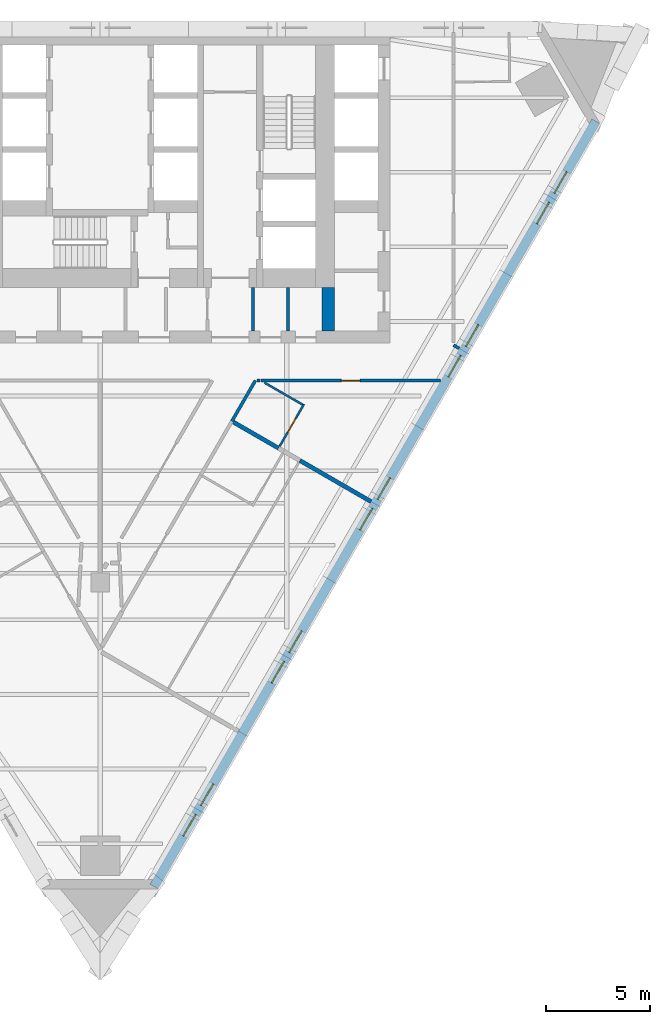
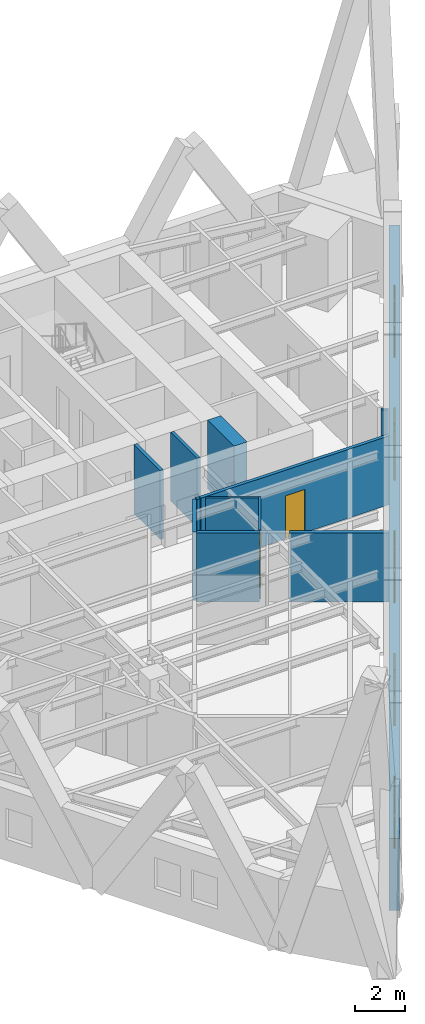
# One storey, part 6 of 11: 12 walls, 10 windows, 2 doors, 12 openings.
"""IFC4 building model written with IfcOpenShell, lengths in metres."""

from ifc_helpers import new_model, si_unit, direction, frame, frame_2d, origin, place, context, subcontext, project, spatial, polyline, rectangle, outline, extrude, material, layer, layer_set, type_object, element, fill, save


model = new_model("IFC4")

# Units and contexts
model_context = context("Model", 3, precision=1e-05, world=origin(), true_north=direction((0.0, 1.0)))
body_context = subcontext(model_context, "Body", "Model", "MODEL_VIEW")
ifc_project = project(units=[si_unit("LENGTHUNIT", "METRE"), si_unit("AREAUNIT", "SQUARE_METRE"), si_unit("VOLUMEUNIT", "CUBIC_METRE"), si_unit("PLANEANGLEUNIT", "RADIAN"), si_unit("MASSUNIT", "GRAM", prefix="KILO")], contexts=[model_context])

# Site, building, storey
site_placement = place(None, origin())
site = spatial("IfcSite", under=ifc_project, at=site_placement, CompositionType="ELEMENT")
building_placement = place(site_placement, origin())
building = spatial("IfcBuilding", under=site, at=building_placement, Name="Aloe Facet Convention Tower", CompositionType="ELEMENT")
storey_placement = place(building_placement, frame((0.0, 0.0, 95.800048828125)))
storey = spatial("IfcBuildingStorey", under=building, at=storey_placement, Name="L23", CompositionType="ELEMENT", Elevation=95.800048828125)

# Walls
ifc_material_1 = material(Name="Concrete blockwork partition", Category="masonry")
ifc_layer_1 = layer(ifc_material_1, 0.14990234375)
ifc_layer_set_1 = layer_set([ifc_layer_1], Name="CR-W-PART150")
wall_type_1 = type_object("IfcWallType", Name="CR-W-PART150", PredefinedType="PARTITIONING", material=ifc_layer_set_1)
for number, where, z_axis, x_axis, name in (
    (1, (87.375, 122.25, 0.0), (0.0, 0.0, 1.0), (0.0, -1.0, 0.0), "Core partition L23-041"),
    (2, (89.074951171875, 122.25, 0.0), (0.0, 0.0, 1.0), (0.0, -1.0, 0.0), "Core partition L23-046"),
):
    element("IfcWall", number, at=place(storey_placement, frame(where, z_axis=z_axis, x_axis=x_axis)), inside=storey, type_object=wall_type_1, Name=name, PredefinedType="PARTITIONING", context=body_context, shape_type="SweptSolid", body=[
        extrude(rectangle(XDim=2.10009765625, YDim=0.14990234375, at=frame_2d((1.050048828125, 0.0))), origin(), (0.0, 0.0, 1.0), 3.349853515625),
    ])
ifc_material_2 = material(Name="Concrete C70/85", Category="concrete")
ifc_layer_2 = layer(ifc_material_2, 0.60009765625)
ifc_layer_set_2 = layer_set([ifc_layer_2], Name="CR-W-RC600-C7085")
wall_type_2 = type_object("IfcWallType", Name="CR-W-RC600-C7085", PredefinedType="SOLIDWALL", material=ifc_layer_set_2)
wall_1_placement = place(storey_placement, frame((91.0, 122.25, 0.0), z_axis=(0.0, 0.0, 1.0), x_axis=(0.0, -1.0, 0.0)))
element("IfcWall", 3, at=wall_1_placement, inside=storey, type_object=wall_type_2, Name="Core wall L23-048", PredefinedType="SOLIDWALL", context=body_context, shape_type="SweptSolid", body=[
    extrude(rectangle(XDim=2.10009765625, YDim=0.60009765625, at=frame_2d((1.050048828125, 0.0))), origin(), (0.0, 0.0, 1.0), 3.349853515625),
])

# Wall, openings, windows
ifc_material_3 = material(Name="Precast concrete C40/50", Category="concrete")
ifc_layer_3 = layer(ifc_material_3, 0.449951171875)
ifc_layer_set_3 = layer_set([ifc_layer_3], Name="EV-WALL-STONE")
wall_type_3 = type_object("IfcWallType", Name="EV-WALL-STONE", PredefinedType="SOLIDWALL", material=ifc_layer_set_3)
wall_2_placement = place(storey_placement, frame((82.605224609375, 93.332763671875, -0.150146484375), z_axis=(0.0, 0.0, 1.0), x_axis=(0.500000478905, 0.866025127289, 0.0)))
wall_2 = element("IfcWall", 4, at=wall_2_placement, inside=storey, type_object=wall_type_3, Name="EW-L23-E01", PredefinedType="SOLIDWALL", context=body_context, shape_type="SweptSolid", body=[
    extrude(outline(polyline([(42.64306640625, 0.0), (42.64306640625, 3.5), (0.0, 3.5), (0.0, 0.0), (42.64306640625, 0.0)])), frame((0.0, 0.22509765625, 0.0), z_axis=(0.0, -1.0, 0.0), x_axis=(1.0, 0.0, 0.0)), (0.0, 0.0, 1.0), 0.449951171875),
])
opening_1_placement = place(wall_2_placement, frame((2.814208984375, 0.0, 1.050048828125)))
opening_1 = element("IfcOpeningElement", 5, at=opening_1_placement, cuts=wall_2, Name="Opening W-L23-E01", PredefinedType="OPENING", context=body_context, shape_type="SweptSolid", body=[
    extrude(rectangle(XDim=1.199951171875, YDim=1.5, at=frame_2d((0.60009765625, 0.75))), frame((0.0, 0.23486328125, 0.0), z_axis=(0.0, -1.0, 0.0), x_axis=(1.0, 0.0, 0.0)), (0.0, 0.0, 1.0), 0.469970703125),
])
opening_2_placement = place(wall_2_placement, frame((4.514404296875, 0.0, 1.050048828125)))
opening_2 = element("IfcOpeningElement", 6, at=opening_2_placement, cuts=wall_2, Name="Opening W-L23-E02", PredefinedType="OPENING", context=body_context, shape_type="SweptSolid", body=[
    extrude(rectangle(XDim=1.199951171875, YDim=1.5, at=frame_2d((0.60009765625, 0.75))), frame((0.0, 0.23486328125, 0.0), z_axis=(0.0, -1.0, 0.0), x_axis=(1.0, 0.0, 0.0)), (0.0, 0.0, 1.0), 0.469970703125),
])
opening_3_placement = place(wall_2_placement, frame((11.343017578125, 0.0, 1.050048828125)))
opening_3 = element("IfcOpeningElement", 7, at=opening_3_placement, cuts=wall_2, Name="Opening W-L23-E03", PredefinedType="OPENING", context=body_context, shape_type="SweptSolid", body=[
    extrude(rectangle(XDim=1.199951171875, YDim=1.5, at=frame_2d((0.60009765625, 0.75))), frame((0.0, 0.23486328125, 0.0), z_axis=(0.0, -1.0, 0.0), x_axis=(1.0, 0.0, 0.0)), (0.0, 0.0, 1.0), 0.469970703125),
])
opening_4_placement = place(wall_2_placement, frame((13.04296875, 0.0, 1.050048828125)))
opening_4 = element("IfcOpeningElement", 8, at=opening_4_placement, cuts=wall_2, Name="Opening W-L23-E04", PredefinedType="OPENING", context=body_context, shape_type="SweptSolid", body=[
    extrude(rectangle(XDim=1.199951171875, YDim=1.5, at=frame_2d((0.60009765625, 0.75))), frame((0.0, 0.23486328125, 0.0), z_axis=(0.0, -1.0, 0.0), x_axis=(1.0, 0.0, 0.0)), (0.0, 0.0, 1.0), 0.469970703125),
])
opening_5_placement = place(wall_2_placement, frame((19.87158203125, 0.0, 1.050048828125)))
opening_5 = element("IfcOpeningElement", 9, at=opening_5_placement, cuts=wall_2, Name="Opening W-L23-E05", PredefinedType="OPENING", context=body_context, shape_type="SweptSolid", body=[
    extrude(rectangle(XDim=1.199951171875, YDim=1.5, at=frame_2d((0.60009765625, 0.75))), frame((0.0, 0.23486328125, 0.0), z_axis=(0.0, -1.0, 0.0), x_axis=(1.0, 0.0, 0.0)), (0.0, 0.0, 1.0), 0.469970703125),
])
opening_6_placement = place(wall_2_placement, frame((21.571533203125, 0.0, 1.050048828125)))
opening_6 = element("IfcOpeningElement", 10, at=opening_6_placement, cuts=wall_2, Name="Opening W-L23-E06", PredefinedType="OPENING", context=body_context, shape_type="SweptSolid", body=[
    extrude(rectangle(XDim=1.199951171875, YDim=1.5, at=frame_2d((0.60009765625, 0.75))), frame((0.0, 0.23486328125, 0.0), z_axis=(0.0, -1.0, 0.0), x_axis=(1.0, 0.0, 0.0)), (0.0, 0.0, 1.0), 0.469970703125),
])
opening_7_placement = place(wall_2_placement, frame((28.400146484375, 0.0, 1.050048828125)))
opening_7 = element("IfcOpeningElement", 11, at=opening_7_placement, cuts=wall_2, Name="Opening W-L23-E07", PredefinedType="OPENING", context=body_context, shape_type="SweptSolid", body=[
    extrude(rectangle(XDim=1.199951171875, YDim=1.5, at=frame_2d((0.60009765625, 0.75))), frame((0.0, 0.23486328125, 0.0), z_axis=(0.0, -1.0, 0.0), x_axis=(1.0, 0.0, 0.0)), (0.0, 0.0, 1.0), 0.469970703125),
])
opening_8_placement = place(wall_2_placement, frame((30.10009765625, 0.0, 1.050048828125)))
opening_8 = element("IfcOpeningElement", 12, at=opening_8_placement, cuts=wall_2, Name="Opening W-L23-E08", PredefinedType="OPENING", context=body_context, shape_type="SweptSolid", body=[
    extrude(rectangle(XDim=1.199951171875, YDim=1.5, at=frame_2d((0.60009765625, 0.75))), frame((0.0, 0.23486328125, 0.0), z_axis=(0.0, -1.0, 0.0), x_axis=(1.0, 0.0, 0.0)), (0.0, 0.0, 1.0), 0.469970703125),
])
opening_9_placement = place(wall_2_placement, frame((36.9287109375, 0.0, 1.050048828125)))
opening_9 = element("IfcOpeningElement", 13, at=opening_9_placement, cuts=wall_2, Name="Opening W-L23-E09", PredefinedType="OPENING", context=body_context, shape_type="SweptSolid", body=[
    extrude(rectangle(XDim=1.199951171875, YDim=1.5, at=frame_2d((0.60009765625, 0.75))), frame((0.0, 0.23486328125, 0.0), z_axis=(0.0, -1.0, 0.0), x_axis=(1.0, 0.0, 0.0)), (0.0, 0.0, 1.0), 0.469970703125),
])
opening_10_placement = place(wall_2_placement, frame((38.628662109375, 0.0, 1.050048828125)))
opening_10 = element("IfcOpeningElement", 14, at=opening_10_placement, cuts=wall_2, Name="Opening W-L23-E10", PredefinedType="OPENING", context=body_context, shape_type="SweptSolid", body=[
    extrude(rectangle(XDim=1.199951171875, YDim=1.5, at=frame_2d((0.60009765625, 0.75))), frame((0.0, 0.23486328125, 0.0), z_axis=(0.0, -1.0, 0.0), x_axis=(1.0, 0.0, 0.0)), (0.0, 0.0, 1.0), 0.469970703125),
])
ifc_material_4 = material(Name="Aluminium frame, clear double glazing", Category="aluminium")
window_type = type_object("IfcWindowType", Name="EV-WIN-H12", PartitioningType="SINGLE_PANEL", PredefinedType="WINDOW", material=ifc_material_4)
window_1_placement = place(opening_1_placement, origin())
window_1 = element("IfcWindow", 15, at=window_1_placement, inside=storey, type_object=window_type, Name="W-L23-E01", OverallHeight=1.5, OverallWidth=1.199951171875, PartitioningType="SINGLE_PANEL", PredefinedType="WINDOW", context=body_context, shape_type="SweptSolid", body=[
    extrude(rectangle(XDim=1.199951171875, YDim=1.5, at=frame_2d((0.60009765625, 0.75))), frame((0.0, 0.030029296875, 0.0), z_axis=(0.0, -1.0, 0.0), x_axis=(1.0, 0.0, 0.0)), (0.0, 0.0, 1.0), 0.06005859375),
])
fill(opening_1, window_1)
window_2_placement = place(opening_2_placement, origin())
window_2 = element("IfcWindow", 16, at=window_2_placement, inside=storey, type_object=window_type, Name="W-L23-E02", OverallHeight=1.5, OverallWidth=1.199951171875, PartitioningType="SINGLE_PANEL", PredefinedType="WINDOW", context=body_context, shape_type="SweptSolid", body=[
    extrude(rectangle(XDim=1.199951171875, YDim=1.5, at=frame_2d((0.60009765625, 0.75))), frame((0.0, 0.030029296875, 0.0), z_axis=(0.0, -1.0, 0.0), x_axis=(1.0, 0.0, 0.0)), (0.0, 0.0, 1.0), 0.06005859375),
])
fill(opening_2, window_2)
window_3_placement = place(opening_3_placement, origin())
window_3 = element("IfcWindow", 17, at=window_3_placement, inside=storey, type_object=window_type, Name="W-L23-E03", OverallHeight=1.5, OverallWidth=1.199951171875, PartitioningType="SINGLE_PANEL", PredefinedType="WINDOW", context=body_context, shape_type="SweptSolid", body=[
    extrude(rectangle(XDim=1.199951171875, YDim=1.5, at=frame_2d((0.60009765625, 0.75))), frame((0.0, 0.030029296875, 0.0), z_axis=(0.0, -1.0, 0.0), x_axis=(1.0, 0.0, 0.0)), (0.0, 0.0, 1.0), 0.06005859375),
])
fill(opening_3, window_3)
window_4_placement = place(opening_4_placement, origin())
window_4 = element("IfcWindow", 18, at=window_4_placement, inside=storey, type_object=window_type, Name="W-L23-E04", OverallHeight=1.5, OverallWidth=1.199951171875, PartitioningType="SINGLE_PANEL", PredefinedType="WINDOW", context=body_context, shape_type="SweptSolid", body=[
    extrude(rectangle(XDim=1.199951171875, YDim=1.5, at=frame_2d((0.60009765625, 0.75))), frame((0.0, 0.030029296875, 0.0), z_axis=(0.0, -1.0, 0.0), x_axis=(1.0, 0.0, 0.0)), (0.0, 0.0, 1.0), 0.06005859375),
])
fill(opening_4, window_4)
window_5_placement = place(opening_5_placement, origin())
window_5 = element("IfcWindow", 19, at=window_5_placement, inside=storey, type_object=window_type, Name="W-L23-E05", OverallHeight=1.5, OverallWidth=1.199951171875, PartitioningType="SINGLE_PANEL", PredefinedType="WINDOW", context=body_context, shape_type="SweptSolid", body=[
    extrude(rectangle(XDim=1.199951171875, YDim=1.5, at=frame_2d((0.60009765625, 0.75))), frame((0.0, 0.030029296875, 0.0), z_axis=(0.0, -1.0, 0.0), x_axis=(1.0, 0.0, 0.0)), (0.0, 0.0, 1.0), 0.06005859375),
])
fill(opening_5, window_5)
window_6_placement = place(opening_6_placement, origin())
window_6 = element("IfcWindow", 20, at=window_6_placement, inside=storey, type_object=window_type, Name="W-L23-E06", OverallHeight=1.5, OverallWidth=1.199951171875, PartitioningType="SINGLE_PANEL", PredefinedType="WINDOW", context=body_context, shape_type="SweptSolid", body=[
    extrude(rectangle(XDim=1.199951171875, YDim=1.5, at=frame_2d((0.60009765625, 0.75))), frame((0.0, 0.030029296875, 0.0), z_axis=(0.0, -1.0, 0.0), x_axis=(1.0, 0.0, 0.0)), (0.0, 0.0, 1.0), 0.06005859375),
])
fill(opening_6, window_6)
window_7_placement = place(opening_7_placement, origin())
window_7 = element("IfcWindow", 21, at=window_7_placement, inside=storey, type_object=window_type, Name="W-L23-E07", OverallHeight=1.5, OverallWidth=1.199951171875, PartitioningType="SINGLE_PANEL", PredefinedType="WINDOW", context=body_context, shape_type="SweptSolid", body=[
    extrude(rectangle(XDim=1.199951171875, YDim=1.5, at=frame_2d((0.60009765625, 0.75))), frame((0.0, 0.030029296875, 0.0), z_axis=(0.0, -1.0, 0.0), x_axis=(1.0, 0.0, 0.0)), (0.0, 0.0, 1.0), 0.06005859375),
])
fill(opening_7, window_7)
window_8_placement = place(opening_8_placement, origin())
window_8 = element("IfcWindow", 22, at=window_8_placement, inside=storey, type_object=window_type, Name="W-L23-E08", OverallHeight=1.5, OverallWidth=1.199951171875, PartitioningType="SINGLE_PANEL", PredefinedType="WINDOW", context=body_context, shape_type="SweptSolid", body=[
    extrude(rectangle(XDim=1.199951171875, YDim=1.5, at=frame_2d((0.60009765625, 0.75))), frame((0.0, 0.030029296875, 0.0), z_axis=(0.0, -1.0, 0.0), x_axis=(1.0, 0.0, 0.0)), (0.0, 0.0, 1.0), 0.06005859375),
])
fill(opening_8, window_8)
window_9_placement = place(opening_9_placement, origin())
window_9 = element("IfcWindow", 23, at=window_9_placement, inside=storey, type_object=window_type, Name="W-L23-E09", OverallHeight=1.5, OverallWidth=1.199951171875, PartitioningType="SINGLE_PANEL", PredefinedType="WINDOW", context=body_context, shape_type="SweptSolid", body=[
    extrude(rectangle(XDim=1.199951171875, YDim=1.5, at=frame_2d((0.60009765625, 0.75))), frame((0.0, 0.030029296875, 0.0), z_axis=(0.0, -1.0, 0.0), x_axis=(1.0, 0.0, 0.0)), (0.0, 0.0, 1.0), 0.06005859375),
])
fill(opening_9, window_9)
window_10_placement = place(opening_10_placement, origin())
window_10 = element("IfcWindow", 24, at=window_10_placement, inside=storey, type_object=window_type, Name="W-L23-E10", OverallHeight=1.5, OverallWidth=1.199951171875, PartitioningType="SINGLE_PANEL", PredefinedType="WINDOW", context=body_context, shape_type="SweptSolid", body=[
    extrude(rectangle(XDim=1.199951171875, YDim=1.5, at=frame_2d((0.60009765625, 0.75))), frame((0.0, 0.030029296875, 0.0), z_axis=(0.0, -1.0, 0.0), x_axis=(1.0, 0.0, 0.0)), (0.0, 0.0, 1.0), 0.06005859375),
])
fill(opening_10, window_10)

# Wall
ifc_material_5 = material(Name="Gypsum board partition on steel studs", Category="steel")
ifc_layer_4 = layer(ifc_material_5, 0.14990234375)
ifc_layer_set_4 = layer_set([ifc_layer_4], Name="IN-W-CORR")
wall_type_4 = type_object("IfcWallType", Name="IN-W-CORR", PredefinedType="PARTITIONING", material=ifc_layer_set_4)
wall_3_placement = place(storey_placement, frame((86.359375, 115.78515625, 0.0), z_axis=(0.0, 0.0, 1.0), x_axis=(0.499958437573, 0.866049398533, 0.0)))
element("IfcWall", 25, at=wall_3_placement, inside=storey, type_object=wall_type_4, Name="Partition L23-W044", PredefinedType="PARTITIONING", context=body_context, shape_type="SweptSolid", body=[
    extrude(rectangle(XDim=2.268798828125, YDim=0.14990234375, at=frame_2d((1.13427734375, 0.0))), origin(), (0.0, 0.0, 1.0), 3.349853515625),
])

# Wall, opening, door
wall_4_placement = place(storey_placement, frame((87.75634765625, 117.75, 0.0), z_axis=(0.0, 0.0, 1.0), x_axis=(1.0, 0.0, 0.0)))
wall_4 = element("IfcWall", 26, at=wall_4_placement, inside=storey, type_object=wall_type_4, Name="Partition L23-W056", PredefinedType="PARTITIONING", context=body_context, shape_type="SweptSolid", body=[
    extrude(rectangle(XDim=8.6748046875, YDim=0.14990234375, at=frame_2d((4.33740234375, 0.0))), origin(), (0.0, 0.0, 1.0), 3.349853515625),
])
opening_11_placement = place(wall_4_placement, frame((3.887451171875, 0.0, 0.0)))
opening_11 = element("IfcOpeningElement", 27, at=opening_11_placement, cuts=wall_4, Name="Opening L23-005", PredefinedType="OPENING", context=body_context, shape_type="SweptSolid", body=[
    extrude(rectangle(XDim=0.89990234375, YDim=2.10009765625, at=frame_2d((0.449951171875, 1.050048828125))), frame((0.0, 0.0849609375, 0.0), z_axis=(0.0, -1.0, 0.0), x_axis=(1.0, 0.0, 0.0)), (0.0, 0.0, 1.0), 0.169921875),
])
ifc_material_6 = material(Name="Hardwood flush door FD30S", Category="wood")
door_type_1 = type_object("IfcDoorType", Name="IN-D-GUEST", OperationType="SINGLE_SWING_LEFT", PredefinedType="DOOR", material=ifc_material_6)
door_1_placement = place(opening_11_placement, origin())
door_1 = element("IfcDoor", 28, at=door_1_placement, inside=storey, type_object=door_type_1, Name="Door L23-005", OperationType="SINGLE_SWING_LEFT", OverallHeight=2.10009765625, OverallWidth=0.89990234375, PredefinedType="DOOR", context=body_context, shape_type="SweptSolid", body=[
    extrude(rectangle(XDim=0.89990234375, YDim=2.10009765625, at=frame_2d((0.449951171875, 1.050048828125))), frame((0.0, 0.02490234375, 0.0), z_axis=(0.0, -1.0, 0.0), x_axis=(1.0, 0.0, 0.0)), (0.0, 0.0, 1.0), 0.050048828125),
])
fill(opening_11, door_1)

# Walls
wall_5_placement = place(storey_placement, frame((97.05712890625, 119.456787109375, 0.0), z_axis=(0.0, 0.0, 1.0), x_axis=(0.866159461733, -0.499767732902, 0.0)))
element("IfcWall", 29, at=wall_5_placement, inside=storey, type_object=wall_type_4, Name="Partition L23-W058", PredefinedType="PARTITIONING", context=body_context, shape_type="SweptSolid", body=[
    extrude(rectangle(XDim=0.311279296875, YDim=0.14990234375, at=frame_2d((0.15576171875, 0.0))), origin(), (0.0, 0.0, 1.0), 3.349853515625),
])
wall_6_placement = place(storey_placement, frame((87.57373046875, 117.75, 0.0), z_axis=(0.0, 0.0, 1.0), x_axis=(1.0, 0.0, 0.0)))
element("IfcWall", 30, at=wall_6_placement, inside=storey, type_object=wall_type_4, Name="Partition L23-W074", PredefinedType="PARTITIONING", context=body_context, shape_type="SweptSolid", body=[
    extrude(rectangle(XDim=0.142578125, YDim=0.14990234375, at=frame_2d((0.0712890625, 0.0))), origin(), (0.0, 0.0, 1.0), 3.349853515625),
])

# Wall, opening, door
ifc_material_7 = material(Name="Gypsum board partition on steel studs", Category="steel")
ifc_layer_5 = layer(ifc_material_7, 0.10009765625)
ifc_layer_set_5 = layer_set([ifc_layer_5], Name="IN-W-PART")
wall_type_5 = type_object("IfcWallType", Name="IN-W-PART", PredefinedType="PARTITIONING", material=ifc_layer_set_5)
wall_7_placement = place(storey_placement, frame((88.666015625, 114.58056640625, 0.0), z_axis=(0.0, 0.0, 1.0), x_axis=(0.499999433879, 0.866025730634, 0.0)))
wall_7 = element("IfcWall", 31, at=wall_7_placement, inside=storey, type_object=wall_type_5, Name="Partition L23-W046", PredefinedType="PARTITIONING", context=body_context, shape_type="SweptSolid", body=[
    extrude(rectangle(XDim=2.33984375, YDim=0.10009765625, at=frame_2d((1.169921875, 0.0))), origin(), (0.0, 0.0, 1.0), 3.349853515625),
])
opening_12_placement = place(wall_7_placement, frame((0.77001953125, 0.0, 0.0)))
opening_12 = element("IfcOpeningElement", 32, at=opening_12_placement, cuts=wall_7, Name="Opening L23-016", PredefinedType="OPENING", context=body_context, shape_type="SweptSolid", body=[
    extrude(rectangle(XDim=0.800048828125, YDim=2.10009765625, at=frame_2d((0.39990234375, 1.050048828125))), frame((0.0, 0.06005859375, 0.0), z_axis=(0.0, -1.0, 0.0), x_axis=(1.0, 0.0, 0.0)), (0.0, 0.0, 1.0), 0.1201171875),
])
ifc_material_8 = material(Name="Timber flush door", Category="wood")
door_type_2 = type_object("IfcDoorType", Name="IN-D-BATH", OperationType="SINGLE_SWING_LEFT", PredefinedType="DOOR", material=ifc_material_8)
door_2_placement = place(opening_12_placement, origin())
door_2 = element("IfcDoor", 33, at=door_2_placement, inside=storey, type_object=door_type_2, Name="Door L23-016", OperationType="SINGLE_SWING_LEFT", OverallHeight=2.10009765625, OverallWidth=0.800048828125, PredefinedType="DOOR", context=body_context, shape_type="SweptSolid", body=[
    extrude(rectangle(XDim=0.800048828125, YDim=2.10009765625, at=frame_2d((0.39990234375, 1.050048828125))), frame((0.0, 0.02490234375, 0.0), z_axis=(0.0, -1.0, 0.0), x_axis=(1.0, 0.0, 0.0)), (0.0, 0.0, 1.0), 0.050048828125),
])
fill(opening_12, door_2)

# Walls
wall_8_placement = place(storey_placement, frame((87.933837890625, 117.6474609375, 0.0), z_axis=(0.0, 0.0, 1.0), x_axis=(0.866028160477, -0.499995225238, 0.0)))
element("IfcWall", 34, at=wall_8_placement, inside=storey, type_object=wall_type_5, Name="Partition L23-W055", PredefinedType="PARTITIONING", context=body_context, shape_type="SweptSolid", body=[
    extrude(rectangle(XDim=2.11767578125, YDim=0.10009765625, at=frame_2d((1.058837890625, 0.0))), origin(), (0.0, 0.0, 1.0), 3.349853515625),
])
ifc_material_9 = material(Name="Gypsum board partition on steel studs", Category="steel")
ifc_layer_6 = layer(ifc_material_9, 0.199951171875)
ifc_layer_set_6 = layer_set([ifc_layer_6], Name="IN-W-PARTY")
wall_type_6 = type_object("IfcWallType", Name="IN-W-PARTY", PredefinedType="PARTITIONING", material=ifc_layer_set_6)
wall_9_placement = place(storey_placement, frame((89.6416015625, 113.890380859375, 0.0), z_axis=(0.0, 0.0, 1.0), x_axis=(0.865999754636, -0.500044422998, 0.0)))
element("IfcWall", 35, at=wall_9_placement, inside=storey, type_object=wall_type_6, Name="Partition L23-W028", PredefinedType="PARTITIONING", context=body_context, shape_type="SweptSolid", body=[
    extrude(rectangle(XDim=3.960205078125, YDim=0.199951171875, at=frame_2d((1.97998046875, 0.0))), origin(), (0.0, 0.0, 1.0), 3.349853515625),
])
wall_10_placement = place(storey_placement, frame((86.432861328125, 115.74267578125, 0.0), z_axis=(0.0, 0.0, 1.0), x_axis=(0.866072439398, -0.499918523077, 0.0)))
element("IfcWall", 36, at=wall_10_placement, inside=storey, type_object=wall_type_6, Name="Partition L23-W040", PredefinedType="PARTITIONING", context=body_context, shape_type="SweptSolid", body=[
    extrude(rectangle(XDim=2.51513671875, YDim=0.199951171875, at=frame_2d((1.257568359375, 0.0))), origin(), (0.0, 0.0, 1.0), 3.349853515625),
])

save(model, "model.ifc")
